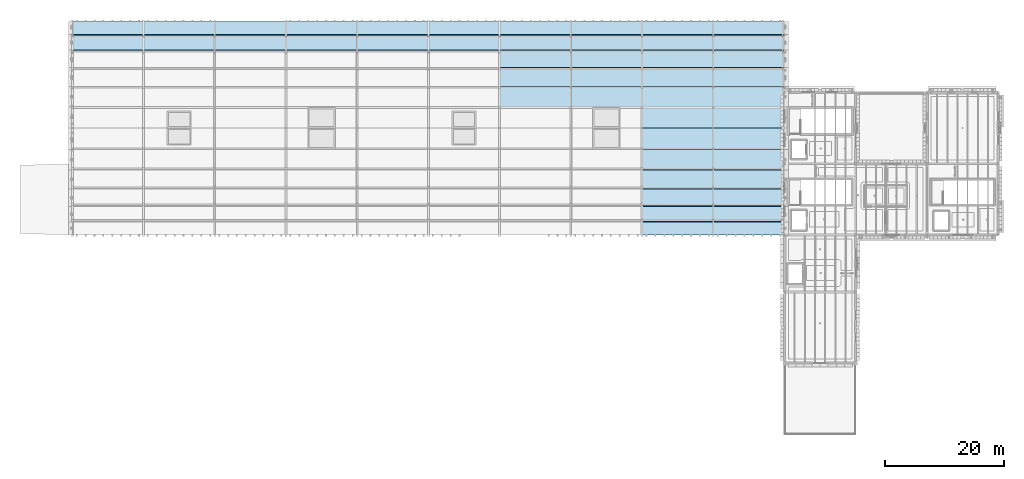
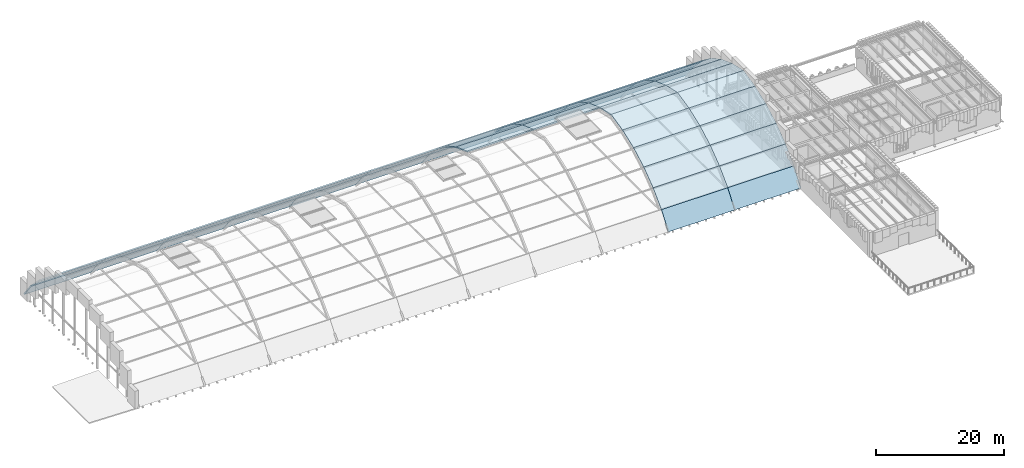
# One storey, part 20 of 35: 46 roofs.
"""IFC4 building model written with IfcOpenShell, lengths in metres."""

from ifc_helpers import new_model, si_unit, direction, frame, origin, place, context, subcontext, project, spatial, polyline, outline, extrude, material, layer, layer_set, type_object, element, save


model = new_model("IFC4")

# Units and contexts
model_context = context("Model", 3, precision=1e-05, world=origin(), true_north=direction((0.0, 1.0)))
body_context = subcontext(model_context, "Body", "Model", "MODEL_VIEW")
ifc_project = project(units=[si_unit("LENGTHUNIT", "METRE"), si_unit("AREAUNIT", "SQUARE_METRE"), si_unit("VOLUMEUNIT", "CUBIC_METRE"), si_unit("PLANEANGLEUNIT", "RADIAN"), si_unit("MASSUNIT", "GRAM", prefix="KILO")], contexts=[model_context])

# Site, building, storey
site_placement = place(None, origin())
site = spatial("IfcSite", under=ifc_project, at=site_placement, CompositionType="ELEMENT")
building_placement = place(site_placement, origin())
building = spatial("IfcBuilding", under=site, at=building_placement, Name="Zlatogorsky Bluff Art Gallery", CompositionType="ELEMENT")
storey_placement = place(building_placement, frame((0.0, 0.0, 23.39990234375)))
storey = spatial("IfcBuildingStorey", under=building, at=storey_placement, Name="L04", CompositionType="ELEMENT", Elevation=23.39990234375)

# Roofs
ifc_material = material(Name="Patinated Bronze Standing-Seam over Concrete C30/37 Shell", Category="concrete")
ifc_layer = layer(ifc_material, 0.219970703125)
ifc_layer_set = layer_set([ifc_layer], Name="Pointed Barrel Vault Roof RF-01")
roof_type = type_object("IfcRoofType", Name="Pointed Barrel Vault Roof RF-01", PredefinedType="BARREL_ROOF", material=ifc_layer_set)
roof_1_placement = place(storey_placement, frame((0.0, 115.190673828125, 5.534912109375), z_axis=(0.0, 0.706575172141, 0.707637990864), x_axis=(1.0, 0.0, 0.0)))
element("IfcRoof", 1, at=roof_1_placement, inside=storey, type_object=roof_type, Name="Pointed barrel vault standing-seam roof facet 1.11", PredefinedType="BARREL_ROOF", context=body_context, shape_type="SweptSolid", body=[
    extrude(outline(polyline([(0.0, 0.0), (12.0, 0.0), (12.0, 3.6753680719572968), (0.0, 3.6753680719572968), (0.0, 0.0)])), origin(), (0.0, 0.0, -1.0), 0.219970703125),
])
roof_2_placement = place(storey_placement, frame((0.0, 117.79150390625, 2.93798828125), z_axis=(0.0, 0.799345913575, 0.600871126325), x_axis=(1.0, 0.0, 0.0)))
element("IfcRoof", 2, at=roof_2_placement, inside=storey, type_object=roof_type, Name="Pointed barrel vault standing-seam roof facet 1.12", PredefinedType="BARREL_ROOF", context=body_context, shape_type="SweptSolid", body=[
    extrude(outline(polyline([(0.0, 0.0), (12.0, 0.0), (12.0, 3.6754904620841193), (0.0, 3.6754904620841193), (0.0, 0.0)])), origin(), (0.0, 0.0, -1.0), 0.219970703125),
])
roof_3_placement = place(storey_placement, frame((12.0, 115.190673828125, 5.534912109375), z_axis=(0.0, 0.706575172141, 0.707637990864), x_axis=(1.0, 0.0, 0.0)))
element("IfcRoof", 3, at=roof_3_placement, inside=storey, type_object=roof_type, Name="Pointed barrel vault standing-seam roof facet 2.11", PredefinedType="BARREL_ROOF", context=body_context, shape_type="SweptSolid", body=[
    extrude(outline(polyline([(0.0, 0.0), (12.0, 0.0), (12.0, 3.6753680719572968), (0.0, 3.6753680719572968), (0.0, 0.0)])), origin(), (0.0, 0.0, -1.0), 0.219970703125),
])
roof_4_placement = place(storey_placement, frame((12.0, 117.79150390625, 2.93798828125), z_axis=(0.0, 0.799345913575, 0.600871126325), x_axis=(1.0, 0.0, 0.0)))
element("IfcRoof", 4, at=roof_4_placement, inside=storey, type_object=roof_type, Name="Pointed barrel vault standing-seam roof facet 2.12", PredefinedType="BARREL_ROOF", context=body_context, shape_type="SweptSolid", body=[
    extrude(outline(polyline([(0.0, 0.0), (12.0, 0.0), (12.0, 3.6754904620841193), (0.0, 3.6754904620841193), (0.0, 0.0)])), origin(), (0.0, 0.0, -1.0), 0.219970703125),
])
roof_5_placement = place(storey_placement, frame((24.0, 115.190673828125, 5.534912109375), z_axis=(0.0, 0.706575172141, 0.707637990864), x_axis=(1.0, 0.0, 0.0)))
element("IfcRoof", 5, at=roof_5_placement, inside=storey, type_object=roof_type, Name="Pointed barrel vault standing-seam roof facet 3.11", PredefinedType="BARREL_ROOF", context=body_context, shape_type="SweptSolid", body=[
    extrude(outline(polyline([(0.0, 0.0), (12.0, 0.0), (12.0, 3.6753680719572968), (0.0, 3.6753680719572968), (0.0, 0.0)])), origin(), (0.0, 0.0, -1.0), 0.219970703125),
])
roof_6_placement = place(storey_placement, frame((24.0, 117.79150390625, 2.93798828125), z_axis=(0.0, 0.799345913575, 0.600871126325), x_axis=(1.0, 0.0, 0.0)))
element("IfcRoof", 6, at=roof_6_placement, inside=storey, type_object=roof_type, Name="Pointed barrel vault standing-seam roof facet 3.12", PredefinedType="BARREL_ROOF", context=body_context, shape_type="SweptSolid", body=[
    extrude(outline(polyline([(0.0, 0.0), (12.0, 0.0), (12.0, 3.6754904620841193), (0.0, 3.6754904620841193), (0.0, 0.0)])), origin(), (0.0, 0.0, -1.0), 0.219970703125),
])
roof_7_placement = place(storey_placement, frame((36.0, 115.190673828125, 5.534912109375), z_axis=(0.0, 0.706575172141, 0.707637990864), x_axis=(1.0, 0.0, 0.0)))
element("IfcRoof", 7, at=roof_7_placement, inside=storey, type_object=roof_type, Name="Pointed barrel vault standing-seam roof facet 4.11", PredefinedType="BARREL_ROOF", context=body_context, shape_type="SweptSolid", body=[
    extrude(outline(polyline([(0.0, 0.0), (12.0, 0.0), (12.0, 3.6753680719572968), (0.0, 3.6753680719572968), (0.0, 0.0)])), origin(), (0.0, 0.0, -1.0), 0.219970703125),
])
roof_8_placement = place(storey_placement, frame((36.0, 117.79150390625, 2.93798828125), z_axis=(0.0, 0.799345913575, 0.600871126325), x_axis=(1.0, 0.0, 0.0)))
element("IfcRoof", 8, at=roof_8_placement, inside=storey, type_object=roof_type, Name="Pointed barrel vault standing-seam roof facet 4.12", PredefinedType="BARREL_ROOF", context=body_context, shape_type="SweptSolid", body=[
    extrude(outline(polyline([(0.0, 0.0), (12.0, 0.0), (12.0, 3.6754904620841193), (0.0, 3.6754904620841193), (0.0, 0.0)])), origin(), (0.0, 0.0, -1.0), 0.219970703125),
])
roof_9_placement = place(storey_placement, frame((48.0, 115.190673828125, 5.534912109375), z_axis=(0.0, 0.706575172141, 0.707637990864), x_axis=(1.0, 0.0, 0.0)))
element("IfcRoof", 9, at=roof_9_placement, inside=storey, type_object=roof_type, Name="Pointed barrel vault standing-seam roof facet 5.11", PredefinedType="BARREL_ROOF", context=body_context, shape_type="SweptSolid", body=[
    extrude(outline(polyline([(0.0, 0.0), (12.0, 0.0), (12.0, 3.6753680719572968), (0.0, 3.6753680719572968), (0.0, 0.0)])), origin(), (0.0, 0.0, -1.0), 0.219970703125),
])
roof_10_placement = place(storey_placement, frame((48.0, 117.79150390625, 2.93798828125), z_axis=(0.0, 0.799345913575, 0.600871126325), x_axis=(1.0, 0.0, 0.0)))
element("IfcRoof", 10, at=roof_10_placement, inside=storey, type_object=roof_type, Name="Pointed barrel vault standing-seam roof facet 5.12", PredefinedType="BARREL_ROOF", context=body_context, shape_type="SweptSolid", body=[
    extrude(outline(polyline([(0.0, 0.0), (12.0, 0.0), (12.0, 3.6754904620841193), (0.0, 3.6754904620841193), (0.0, 0.0)])), origin(), (0.0, 0.0, -1.0), 0.219970703125),
])
roof_11_placement = place(storey_placement, frame((60.0, 115.190673828125, 5.534912109375), z_axis=(0.0, 0.706575172141, 0.707637990864), x_axis=(1.0, 0.0, 0.0)))
element("IfcRoof", 11, at=roof_11_placement, inside=storey, type_object=roof_type, Name="Pointed barrel vault standing-seam roof facet 6.11", PredefinedType="BARREL_ROOF", context=body_context, shape_type="SweptSolid", body=[
    extrude(outline(polyline([(0.0, 0.0), (12.0, 0.0), (12.0, 3.6753680719572968), (0.0, 3.6753680719572968), (0.0, 0.0)])), origin(), (0.0, 0.0, -1.0), 0.219970703125),
])
roof_12_placement = place(storey_placement, frame((60.0, 117.79150390625, 2.93798828125), z_axis=(0.0, 0.799345913575, 0.600871126325), x_axis=(1.0, 0.0, 0.0)))
element("IfcRoof", 12, at=roof_12_placement, inside=storey, type_object=roof_type, Name="Pointed barrel vault standing-seam roof facet 6.12", PredefinedType="BARREL_ROOF", context=body_context, shape_type="SweptSolid", body=[
    extrude(outline(polyline([(0.0, 0.0), (12.0, 0.0), (12.0, 3.6754904620841193), (0.0, 3.6754904620841193), (0.0, 0.0)])), origin(), (0.0, 0.0, -1.0), 0.219970703125),
])
roof_13_placement = place(storey_placement, frame((72.0, 105.587890625, 10.802490234375), z_axis=(0.0, 0.352520718057, 0.935804009043), x_axis=(1.0, 0.0, 0.0)))
element("IfcRoof", 13, at=roof_13_placement, inside=storey, type_object=roof_type, Name="Pointed barrel vault standing-seam roof facet 7.8", PredefinedType="BARREL_ROOF", context=body_context, shape_type="SweptSolid", body=[
    extrude(outline(polyline([(0.0, 0.0), (12.0, 0.0), (12.0, 3.6753990063777997), (0.0, 3.6753990063777997), (0.0, 0.0)])), origin(), (0.0, 0.0, -1.0), 0.219970703125),
])
roof_14_placement = place(storey_placement, frame((72.0, 109.02734375, 9.5068359375), z_axis=(0.0, 0.480926508686, 0.876760909965), x_axis=(1.0, 0.0, 0.0)))
element("IfcRoof", 14, at=roof_14_placement, inside=storey, type_object=roof_type, Name="Pointed barrel vault standing-seam roof facet 7.9", PredefinedType="BARREL_ROOF", context=body_context, shape_type="SweptSolid", body=[
    extrude(outline(polyline([(0.0, 0.0), (12.0, 0.0), (12.0, 3.675360149784664), (0.0, 3.675360149784664), (0.0, 0.0)])), origin(), (0.0, 0.0, -1.0), 0.219970703125),
])
roof_15_placement = place(storey_placement, frame((72.0, 112.249755859375, 7.7392578125), z_axis=(0.0, 0.599766152592, 0.800175332165), x_axis=(1.0, 0.0, 0.0)))
element("IfcRoof", 15, at=roof_15_placement, inside=storey, type_object=roof_type, Name="Pointed barrel vault standing-seam roof facet 7.10", PredefinedType="BARREL_ROOF", context=body_context, shape_type="SweptSolid", body=[
    extrude(outline(polyline([(0.0, 0.0), (12.0, 0.0), (12.0, 3.6753419538598413), (0.0, 3.6753419538598413), (0.0, 0.0)])), origin(), (0.0, 0.0, -1.0), 0.219970703125),
])
roof_16_placement = place(storey_placement, frame((72.0, 115.190673828125, 5.534912109375), z_axis=(0.0, 0.706575172141, 0.707637990864), x_axis=(1.0, 0.0, 0.0)))
element("IfcRoof", 16, at=roof_16_placement, inside=storey, type_object=roof_type, Name="Pointed barrel vault standing-seam roof facet 7.11", PredefinedType="BARREL_ROOF", context=body_context, shape_type="SweptSolid", body=[
    extrude(outline(polyline([(0.0, 0.0), (12.0, 0.0), (12.0, 3.6753680719572968), (0.0, 3.6753680719572968), (0.0, 0.0)])), origin(), (0.0, 0.0, -1.0), 0.219970703125),
])
roof_17_placement = place(storey_placement, frame((72.0, 117.79150390625, 2.93798828125), z_axis=(0.0, 0.799345913575, 0.600871126325), x_axis=(1.0, 0.0, 0.0)))
element("IfcRoof", 17, at=roof_17_placement, inside=storey, type_object=roof_type, Name="Pointed barrel vault standing-seam roof facet 7.12", PredefinedType="BARREL_ROOF", context=body_context, shape_type="SweptSolid", body=[
    extrude(outline(polyline([(0.0, 0.0), (12.0, 0.0), (12.0, 3.6754904620841193), (0.0, 3.6754904620841193), (0.0, 0.0)])), origin(), (0.0, 0.0, -1.0), 0.219970703125),
])
roof_18_placement = place(storey_placement, frame((84.0, 105.587890625, 10.802490234375), z_axis=(0.0, 0.352520718057, 0.935804009043), x_axis=(1.0, 0.0, 0.0)))
element("IfcRoof", 18, at=roof_18_placement, inside=storey, type_object=roof_type, Name="Pointed barrel vault standing-seam roof facet 8.8", PredefinedType="BARREL_ROOF", context=body_context, shape_type="SweptSolid", body=[
    extrude(outline(polyline([(0.0, 0.0), (12.0, 0.0), (12.0, 3.6753990063777997), (0.0, 3.6753990063777997), (0.0, 0.0)])), origin(), (0.0, 0.0, -1.0), 0.219970703125),
])
roof_19_placement = place(storey_placement, frame((84.0, 109.02734375, 9.5068359375), z_axis=(0.0, 0.480926508686, 0.876760909965), x_axis=(1.0, 0.0, 0.0)))
element("IfcRoof", 19, at=roof_19_placement, inside=storey, type_object=roof_type, Name="Pointed barrel vault standing-seam roof facet 8.9", PredefinedType="BARREL_ROOF", context=body_context, shape_type="SweptSolid", body=[
    extrude(outline(polyline([(0.0, 0.0), (12.0, 0.0), (12.0, 3.675360149784664), (0.0, 3.675360149784664), (0.0, 0.0)])), origin(), (0.0, 0.0, -1.0), 0.219970703125),
])
roof_20_placement = place(storey_placement, frame((84.0, 112.249755859375, 7.7392578125), z_axis=(0.0, 0.599766152592, 0.800175332165), x_axis=(1.0, 0.0, 0.0)))
element("IfcRoof", 20, at=roof_20_placement, inside=storey, type_object=roof_type, Name="Pointed barrel vault standing-seam roof facet 8.10", PredefinedType="BARREL_ROOF", context=body_context, shape_type="SweptSolid", body=[
    extrude(outline(polyline([(0.0, 0.0), (12.0, 0.0), (12.0, 3.6753419538598413), (0.0, 3.6753419538598413), (0.0, 0.0)])), origin(), (0.0, 0.0, -1.0), 0.219970703125),
])
roof_21_placement = place(storey_placement, frame((84.0, 115.190673828125, 5.534912109375), z_axis=(0.0, 0.706575172141, 0.707637990864), x_axis=(1.0, 0.0, 0.0)))
element("IfcRoof", 21, at=roof_21_placement, inside=storey, type_object=roof_type, Name="Pointed barrel vault standing-seam roof facet 8.11", PredefinedType="BARREL_ROOF", context=body_context, shape_type="SweptSolid", body=[
    extrude(outline(polyline([(0.0, 0.0), (12.0, 0.0), (12.0, 3.6753680719572968), (0.0, 3.6753680719572968), (0.0, 0.0)])), origin(), (0.0, 0.0, -1.0), 0.219970703125),
])
for number, where, z_axis, x_axis, name in (
    (22, (84.0, 117.79150390625, 2.93798828125), (0.0, 0.799345913575, 0.600871126325), (1.0, 0.0, 0.0), "Pointed barrel vault standing-seam roof facet 8.12"),
    (23, (96.0, 84.0, 0.0), (0.0, -0.799345913575, 0.600871126325), (1.0, 0.0, 0.0), "Pointed barrel vault standing-seam roof facet 9.1"),
):
    element("IfcRoof", number, at=place(storey_placement, frame(where, z_axis=z_axis, x_axis=x_axis)), inside=storey, type_object=roof_type, Name=name, PredefinedType="BARREL_ROOF", context=body_context, shape_type="SweptSolid", body=[
        extrude(outline(polyline([(0.0, 0.0), (12.0, 0.0), (12.0, 3.6754904620841193), (0.0, 3.6754904620841193), (0.0, 0.0)])), origin(), (0.0, 0.0, -1.0), 0.219970703125),
    ])
roof_22_placement = place(storey_placement, frame((96.0, 86.20849609375, 2.93798828125), z_axis=(0.0, -0.706575172141, 0.707637990864), x_axis=(1.0, 0.0, 0.0)))
element("IfcRoof", 24, at=roof_22_placement, inside=storey, type_object=roof_type, Name="Pointed barrel vault standing-seam roof facet 9.2", PredefinedType="BARREL_ROOF", context=body_context, shape_type="SweptSolid", body=[
    extrude(outline(polyline([(0.0, 0.0), (12.0, 0.0), (12.0, 3.6753680719572968), (0.0, 3.6753680719572968), (0.0, 0.0)])), origin(), (0.0, 0.0, -1.0), 0.219970703125),
])
roof_23_placement = place(storey_placement, frame((96.0, 88.809326171875, 5.534912109375), z_axis=(0.0, -0.599766152592, 0.800175332165), x_axis=(1.0, 0.0, 0.0)))
element("IfcRoof", 25, at=roof_23_placement, inside=storey, type_object=roof_type, Name="Pointed barrel vault standing-seam roof facet 9.3", PredefinedType="BARREL_ROOF", context=body_context, shape_type="SweptSolid", body=[
    extrude(outline(polyline([(0.0, 0.0), (12.0, 0.0), (12.0, 3.6753419538598413), (0.0, 3.6753419538598413), (0.0, 0.0)])), origin(), (0.0, 0.0, -1.0), 0.219970703125),
])
roof_24_placement = place(storey_placement, frame((96.0, 91.750244140625, 7.7392578125), z_axis=(0.0, -0.480926508686, 0.876760909965), x_axis=(1.0, 0.0, 0.0)))
element("IfcRoof", 26, at=roof_24_placement, inside=storey, type_object=roof_type, Name="Pointed barrel vault standing-seam roof facet 9.4", PredefinedType="BARREL_ROOF", context=body_context, shape_type="SweptSolid", body=[
    extrude(outline(polyline([(0.0, 0.0), (12.0, 0.0), (12.0, 3.675360149784664), (0.0, 3.675360149784664), (0.0, 0.0)])), origin(), (0.0, 0.0, -1.0), 0.219970703125),
])
roof_25_placement = place(storey_placement, frame((96.0, 94.97265625, 9.5068359375), z_axis=(0.0, -0.352520718057, 0.935804009043), x_axis=(1.0, 0.0, 0.0)))
element("IfcRoof", 27, at=roof_25_placement, inside=storey, type_object=roof_type, Name="Pointed barrel vault standing-seam roof facet 9.5", PredefinedType="BARREL_ROOF", context=body_context, shape_type="SweptSolid", body=[
    extrude(outline(polyline([(0.0, 0.0), (12.0, 0.0), (12.0, 3.6753990063777997), (0.0, 3.6753990063777997), (0.0, 0.0)])), origin(), (0.0, 0.0, -1.0), 0.219970703125),
])
for number, where, z_axis, x_axis, name in (
    (28, (96.0, 98.412109375, 10.802490234375), (0.0, -0.21700782178, 0.976169864976), (1.0, 0.0, 0.0), "Pointed barrel vault standing-seam roof facet 9.6"),
    (29, (96.0, 102.0, 11.60009765625), (0.0, 0.21700782178, 0.976169864976), (1.0, 0.0, 0.0), "Pointed barrel vault standing-seam roof facet 9.7"),
):
    element("IfcRoof", number, at=place(storey_placement, frame(where, z_axis=z_axis, x_axis=x_axis)), inside=storey, type_object=roof_type, Name=name, PredefinedType="BARREL_ROOF", context=body_context, shape_type="SweptSolid", body=[
        extrude(outline(polyline([(0.0, 0.0), (12.0, 0.0), (12.0, 3.675477756209793), (0.0, 3.675477756209793), (0.0, 0.0)])), origin(), (0.0, 0.0, -1.0), 0.219970703125),
    ])
roof_26_placement = place(storey_placement, frame((96.0, 105.587890625, 10.802490234375), z_axis=(0.0, 0.352520718057, 0.935804009043), x_axis=(1.0, 0.0, 0.0)))
element("IfcRoof", 30, at=roof_26_placement, inside=storey, type_object=roof_type, Name="Pointed barrel vault standing-seam roof facet 9.8", PredefinedType="BARREL_ROOF", context=body_context, shape_type="SweptSolid", body=[
    extrude(outline(polyline([(0.0, 0.0), (12.0, 0.0), (12.0, 3.6753990063777997), (0.0, 3.6753990063777997), (0.0, 0.0)])), origin(), (0.0, 0.0, -1.0), 0.219970703125),
])
roof_27_placement = place(storey_placement, frame((96.0, 109.02734375, 9.5068359375), z_axis=(0.0, 0.480926508686, 0.876760909965), x_axis=(1.0, 0.0, 0.0)))
element("IfcRoof", 31, at=roof_27_placement, inside=storey, type_object=roof_type, Name="Pointed barrel vault standing-seam roof facet 9.9", PredefinedType="BARREL_ROOF", context=body_context, shape_type="SweptSolid", body=[
    extrude(outline(polyline([(0.0, 0.0), (12.0, 0.0), (12.0, 3.675360149784664), (0.0, 3.675360149784664), (0.0, 0.0)])), origin(), (0.0, 0.0, -1.0), 0.219970703125),
])
roof_28_placement = place(storey_placement, frame((96.0, 112.249755859375, 7.7392578125), z_axis=(0.0, 0.599766152592, 0.800175332165), x_axis=(1.0, 0.0, 0.0)))
element("IfcRoof", 32, at=roof_28_placement, inside=storey, type_object=roof_type, Name="Pointed barrel vault standing-seam roof facet 9.10", PredefinedType="BARREL_ROOF", context=body_context, shape_type="SweptSolid", body=[
    extrude(outline(polyline([(0.0, 0.0), (12.0, 0.0), (12.0, 3.6753419538598413), (0.0, 3.6753419538598413), (0.0, 0.0)])), origin(), (0.0, 0.0, -1.0), 0.219970703125),
])
roof_29_placement = place(storey_placement, frame((96.0, 115.190673828125, 5.534912109375), z_axis=(0.0, 0.706575172141, 0.707637990864), x_axis=(1.0, 0.0, 0.0)))
element("IfcRoof", 33, at=roof_29_placement, inside=storey, type_object=roof_type, Name="Pointed barrel vault standing-seam roof facet 9.11", PredefinedType="BARREL_ROOF", context=body_context, shape_type="SweptSolid", body=[
    extrude(outline(polyline([(0.0, 0.0), (12.0, 0.0), (12.0, 3.6753680719572968), (0.0, 3.6753680719572968), (0.0, 0.0)])), origin(), (0.0, 0.0, -1.0), 0.219970703125),
])
for number, where, z_axis, x_axis, name in (
    (34, (96.0, 117.79150390625, 2.93798828125), (0.0, 0.799345913575, 0.600871126325), (1.0, 0.0, 0.0), "Pointed barrel vault standing-seam roof facet 9.12"),
    (35, (108.0, 84.0, 0.0), (0.0, -0.799345913575, 0.600871126325), (1.0, 0.0, 0.0), "Pointed barrel vault standing-seam roof facet 10.1"),
):
    element("IfcRoof", number, at=place(storey_placement, frame(where, z_axis=z_axis, x_axis=x_axis)), inside=storey, type_object=roof_type, Name=name, PredefinedType="BARREL_ROOF", context=body_context, shape_type="SweptSolid", body=[
        extrude(outline(polyline([(0.0, 0.0), (12.0, 0.0), (12.0, 3.6754904620841193), (0.0, 3.6754904620841193), (0.0, 0.0)])), origin(), (0.0, 0.0, -1.0), 0.219970703125),
    ])
roof_30_placement = place(storey_placement, frame((108.0, 86.20849609375, 2.93798828125), z_axis=(0.0, -0.706575172141, 0.707637990864), x_axis=(1.0, 0.0, 0.0)))
element("IfcRoof", 36, at=roof_30_placement, inside=storey, type_object=roof_type, Name="Pointed barrel vault standing-seam roof facet 10.2", PredefinedType="BARREL_ROOF", context=body_context, shape_type="SweptSolid", body=[
    extrude(outline(polyline([(0.0, 0.0), (12.0, 0.0), (12.0, 3.6753680719572968), (0.0, 3.6753680719572968), (0.0, 0.0)])), origin(), (0.0, 0.0, -1.0), 0.219970703125),
])
roof_31_placement = place(storey_placement, frame((108.0, 88.809326171875, 5.534912109375), z_axis=(0.0, -0.599766152592, 0.800175332165), x_axis=(1.0, 0.0, 0.0)))
element("IfcRoof", 37, at=roof_31_placement, inside=storey, type_object=roof_type, Name="Pointed barrel vault standing-seam roof facet 10.3", PredefinedType="BARREL_ROOF", context=body_context, shape_type="SweptSolid", body=[
    extrude(outline(polyline([(0.0, 0.0), (12.0, 0.0), (12.0, 3.6753419538598413), (0.0, 3.6753419538598413), (0.0, 0.0)])), origin(), (0.0, 0.0, -1.0), 0.219970703125),
])
roof_32_placement = place(storey_placement, frame((108.0, 91.750244140625, 7.7392578125), z_axis=(0.0, -0.480926508686, 0.876760909965), x_axis=(1.0, 0.0, 0.0)))
element("IfcRoof", 38, at=roof_32_placement, inside=storey, type_object=roof_type, Name="Pointed barrel vault standing-seam roof facet 10.4", PredefinedType="BARREL_ROOF", context=body_context, shape_type="SweptSolid", body=[
    extrude(outline(polyline([(0.0, 0.0), (12.0, 0.0), (12.0, 3.675360149784664), (0.0, 3.675360149784664), (0.0, 0.0)])), origin(), (0.0, 0.0, -1.0), 0.219970703125),
])
roof_33_placement = place(storey_placement, frame((108.0, 94.97265625, 9.5068359375), z_axis=(0.0, -0.352520718057, 0.935804009043), x_axis=(1.0, 0.0, 0.0)))
element("IfcRoof", 39, at=roof_33_placement, inside=storey, type_object=roof_type, Name="Pointed barrel vault standing-seam roof facet 10.5", PredefinedType="BARREL_ROOF", context=body_context, shape_type="SweptSolid", body=[
    extrude(outline(polyline([(0.0, 0.0), (12.0, 0.0), (12.0, 3.6753990063777997), (0.0, 3.6753990063777997), (0.0, 0.0)])), origin(), (0.0, 0.0, -1.0), 0.219970703125),
])
for number, where, z_axis, x_axis, name in (
    (40, (108.0, 98.412109375, 10.802490234375), (0.0, -0.21700782178, 0.976169864976), (1.0, 0.0, 0.0), "Pointed barrel vault standing-seam roof facet 10.6"),
    (41, (108.0, 102.0, 11.60009765625), (0.0, 0.21700782178, 0.976169864976), (1.0, 0.0, 0.0), "Pointed barrel vault standing-seam roof facet 10.7"),
):
    element("IfcRoof", number, at=place(storey_placement, frame(where, z_axis=z_axis, x_axis=x_axis)), inside=storey, type_object=roof_type, Name=name, PredefinedType="BARREL_ROOF", context=body_context, shape_type="SweptSolid", body=[
        extrude(outline(polyline([(0.0, 0.0), (12.0, 0.0), (12.0, 3.675477756209793), (0.0, 3.675477756209793), (0.0, 0.0)])), origin(), (0.0, 0.0, -1.0), 0.219970703125),
    ])
roof_34_placement = place(storey_placement, frame((108.0, 105.587890625, 10.802490234375), z_axis=(0.0, 0.352520718057, 0.935804009043), x_axis=(1.0, 0.0, 0.0)))
element("IfcRoof", 42, at=roof_34_placement, inside=storey, type_object=roof_type, Name="Pointed barrel vault standing-seam roof facet 10.8", PredefinedType="BARREL_ROOF", context=body_context, shape_type="SweptSolid", body=[
    extrude(outline(polyline([(0.0, 0.0), (12.0, 0.0), (12.0, 3.6753990063777997), (0.0, 3.6753990063777997), (0.0, 0.0)])), origin(), (0.0, 0.0, -1.0), 0.219970703125),
])
roof_35_placement = place(storey_placement, frame((108.0, 109.02734375, 9.5068359375), z_axis=(0.0, 0.480926508686, 0.876760909965), x_axis=(1.0, 0.0, 0.0)))
element("IfcRoof", 43, at=roof_35_placement, inside=storey, type_object=roof_type, Name="Pointed barrel vault standing-seam roof facet 10.9", PredefinedType="BARREL_ROOF", context=body_context, shape_type="SweptSolid", body=[
    extrude(outline(polyline([(0.0, 0.0), (12.0, 0.0), (12.0, 3.675360149784664), (0.0, 3.675360149784664), (0.0, 0.0)])), origin(), (0.0, 0.0, -1.0), 0.219970703125),
])
roof_36_placement = place(storey_placement, frame((108.0, 112.249755859375, 7.7392578125), z_axis=(0.0, 0.599766152592, 0.800175332165), x_axis=(1.0, 0.0, 0.0)))
element("IfcRoof", 44, at=roof_36_placement, inside=storey, type_object=roof_type, Name="Pointed barrel vault standing-seam roof facet 10.10", PredefinedType="BARREL_ROOF", context=body_context, shape_type="SweptSolid", body=[
    extrude(outline(polyline([(0.0, 0.0), (12.0, 0.0), (12.0, 3.6753419538598413), (0.0, 3.6753419538598413), (0.0, 0.0)])), origin(), (0.0, 0.0, -1.0), 0.219970703125),
])
roof_37_placement = place(storey_placement, frame((108.0, 115.190673828125, 5.534912109375), z_axis=(0.0, 0.706575172141, 0.707637990864), x_axis=(1.0, 0.0, 0.0)))
element("IfcRoof", 45, at=roof_37_placement, inside=storey, type_object=roof_type, Name="Pointed barrel vault standing-seam roof facet 10.11", PredefinedType="BARREL_ROOF", context=body_context, shape_type="SweptSolid", body=[
    extrude(outline(polyline([(0.0, 0.0), (12.0, 0.0), (12.0, 3.6753680719572968), (0.0, 3.6753680719572968), (0.0, 0.0)])), origin(), (0.0, 0.0, -1.0), 0.219970703125),
])
roof_38_placement = place(storey_placement, frame((108.0, 117.79150390625, 2.93798828125), z_axis=(0.0, 0.799345913575, 0.600871126325), x_axis=(1.0, 0.0, 0.0)))
element("IfcRoof", 46, at=roof_38_placement, inside=storey, type_object=roof_type, Name="Pointed barrel vault standing-seam roof facet 10.12", PredefinedType="BARREL_ROOF", context=body_context, shape_type="SweptSolid", body=[
    extrude(outline(polyline([(0.0, 0.0), (12.0, 0.0), (12.0, 3.6754904620841193), (0.0, 3.6754904620841193), (0.0, 0.0)])), origin(), (0.0, 0.0, -1.0), 0.219970703125),
])

save(model, "model.ifc")
